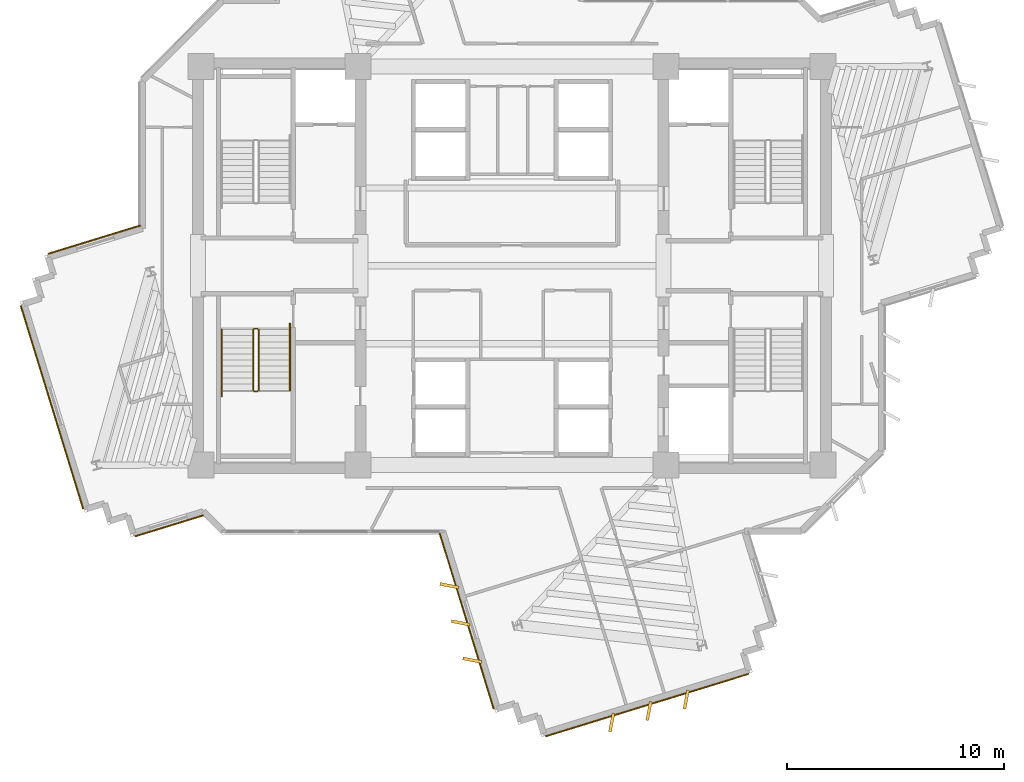
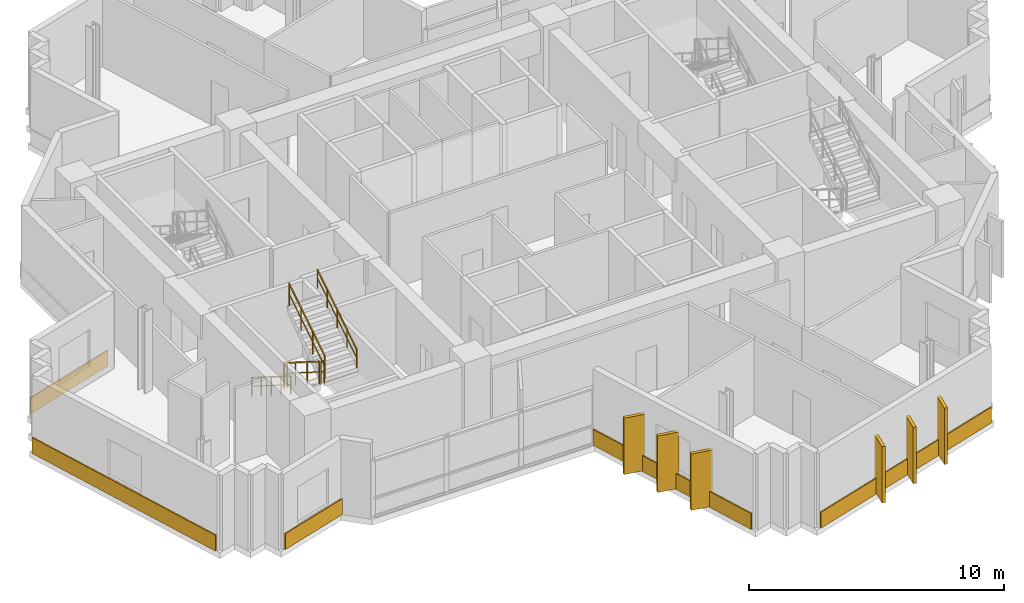
# One storey, part 10 of 13: 11 coverings, 6 railings.
"""IFC4 building model written with IfcOpenShell, lengths in metres."""

import ifcopenshell
import ifcopenshell.guid

model = None  # the IFC model being written
_history = None  # IfcOwnerHistory: only IFC2X3 demands one
_inside = {}  # id of a spatial element -> (the spatial element, [elements in it])
_under = {}  # id of a project, library or spatial element -> (it, [spatial elements below it])
_declared = {}  # id of a project -> (the project, [libraries it declares])
_typed = {}  # id of a type object -> (the type object, [elements of that type])
_made_of = {}  # id of a material, layer set ... -> (it, [elements and type objects made of it])


def new_model(schema):
    """Start an empty IFC model of exactly this schema.

    Asked for "IFC4X3", IfcOpenShell would pick the latest addendum, in which some entities
    have other attributes; the version numbers below select the first issue.
    IFC2X3 requires an IfcOwnerHistory on every rooted entity: one is made here for all.
    """
    global model, _history
    if schema == "IFC4X3":
        model = ifcopenshell.file(schema_version=(4, 3, 0, 0))
    else:
        model = ifcopenshell.file(schema=schema)
    _inside.clear()
    _under.clear()
    _declared.clear()
    _typed.clear()
    _made_of.clear()
    _history = None
    if model.schema == "IFC2X3":
        org = make("IfcOrganization", Name="unknown")
        user = make(
            "IfcPersonAndOrganization",
            ThePerson=make("IfcPerson", FamilyName="unknown"),
            TheOrganization=org,
        )
        app = make(
            "IfcApplication",
            ApplicationDeveloper=org,
            Version="unknown",
            ApplicationFullName="unknown",
            ApplicationIdentifier="unknown",
        )
        _history = make(
            "IfcOwnerHistory",
            OwningUser=user,
            OwningApplication=app,
            ChangeAction="ADDED",
            CreationDate=0,
        )
    return model


def make(cls, **values):
    """One entity of the class cls with the attributes given. An attribute that is None is left unset."""
    return model.create_entity(
        cls, **{name: value for name, value in values.items() if value is not None}
    )


def rooted(cls, **values):
    """An entity with a GlobalId (a new one), such as an element, a storey or a relation."""
    return make(cls, GlobalId=ifcopenshell.guid.new(), OwnerHistory=_history, **values)


def si_unit(unit_type, name, prefix=None):
    """IfcSIUnit, for example si_unit("LENGTHUNIT", "METRE", prefix="MILLI")."""
    return make("IfcSIUnit", UnitType=unit_type, Prefix=prefix, Name=name)


def assignment(units):
    """IfcUnitAssignment: the units of a project."""
    return None if units is None else make("IfcUnitAssignment", Units=units)


def point(xyz):
    """IfcCartesianPoint."""
    return None if xyz is None else make("IfcCartesianPoint", Coordinates=xyz)


def direction(xyz):
    """IfcDirection."""
    return None if xyz is None else make("IfcDirection", DirectionRatios=xyz)


def frame(location, z_axis=None, x_axis=None):
    """IfcAxis2Placement3D, a coordinate frame: its origin and axes. An axis left out is left unset."""
    return make(
        "IfcAxis2Placement3D",
        Location=point(location),
        Axis=direction(z_axis),
        RefDirection=direction(x_axis),
    )


def frame_2d(location, x_axis=None):
    """IfcAxis2Placement2D, a coordinate frame in the plane: its origin and x axis."""
    return make(
        "IfcAxis2Placement2D", Location=point(location), RefDirection=direction(x_axis)
    )


def origin():
    """The frame at (0, 0, 0) with its axes left unset."""
    return frame((0.0, 0.0, 0.0))


def origin_2d():
    """The frame at (0, 0) in the plane with its x axis left unset."""
    return frame_2d((0.0, 0.0))


def place(relative_to, where):
    """IfcLocalPlacement: puts the frame where relative to a parent placement (None: the world)."""
    return make(
        "IfcLocalPlacement", PlacementRelTo=relative_to, RelativePlacement=where
    )


def context(
    kind, dimensions, precision=None, world=None, true_north=None, identifier=None
):
    """IfcGeometricRepresentationContext, for example the 3D "Model" context."""
    return make(
        "IfcGeometricRepresentationContext",
        ContextIdentifier=identifier,
        ContextType=kind,
        CoordinateSpaceDimension=dimensions,
        Precision=precision,
        WorldCoordinateSystem=world,
        TrueNorth=true_north,
    )


def subcontext(parent, identifier, kind, view, scale=None):
    """IfcGeometricRepresentationSubContext, for example "Body" below "Model"."""
    return make(
        "IfcGeometricRepresentationSubContext",
        ContextIdentifier=identifier,
        ContextType=kind,
        ParentContext=parent,
        TargetScale=scale,
        TargetView=view,
    )


def project(units=None, contexts=None):
    """IfcProject with its units and contexts."""
    return rooted(
        "IfcProject",
        Name="project",
        RepresentationContexts=contexts,
        UnitsInContext=assignment(units),
    )


def spatial(cls, under=None, at=None, **own):
    """A site, building, storey or space (cls), placed at a placement, below another one or the project."""
    s = rooted(cls, ObjectPlacement=at, **own)
    if under is not None:
        _under.setdefault(under.id(), (under, []))[1].append(s)
    return s


def profile(cls, at=None, kind="AREA", **sizes):
    """A parametric profile (cls). Its sizes go by their IFC names, for example OverallWidth=200.0."""
    return make(cls, ProfileType=kind, Position=at, **sizes)


def rectangle(**sizes):
    """IfcRectangleProfileDef."""
    return profile("IfcRectangleProfileDef", **sizes)


def extrude(swept, where, along, depth):
    """IfcExtrudedAreaSolid: the profile swept, set in the frame where, extruded along a direction by depth."""
    return make(
        "IfcExtrudedAreaSolid",
        SweptArea=swept,
        Position=where,
        ExtrudedDirection=direction(along),
        Depth=depth,
    )


def shape(context_of_items, identifier, shape_type, items):
    """IfcShapeRepresentation: the items that make up one representation, for example the "Body"."""
    return make(
        "IfcShapeRepresentation",
        ContextOfItems=context_of_items,
        RepresentationIdentifier=identifier,
        RepresentationType=shape_type,
        Items=items,
    )


def source(mapping_origin, context_of_items, identifier, shape_type, items):
    """IfcRepresentationMap: a shape defined once, which mapped items show again and again."""
    return make(
        "IfcRepresentationMap",
        MappingOrigin=mapping_origin,
        MappedRepresentation=shape(context_of_items, identifier, shape_type, items),
    )


def transform(
    local_origin,
    x_axis=None,
    y_axis=None,
    z_axis=None,
    scale=None,
    scale2=None,
    scale3=None,
    uniform=True,
):
    """IfcCartesianTransformationOperator3D, or its non-uniform kind. x_axis, y_axis, z_axis: its Axis1, 2, 3."""
    if uniform:
        return make(
            "IfcCartesianTransformationOperator3D",
            Axis1=direction(x_axis),
            Axis2=direction(y_axis),
            LocalOrigin=point(local_origin),
            Scale=scale,
            Axis3=direction(z_axis),
        )
    return make(
        "IfcCartesianTransformationOperator3DnonUniform",
        Axis1=direction(x_axis),
        Axis2=direction(y_axis),
        LocalOrigin=point(local_origin),
        Scale=scale,
        Axis3=direction(z_axis),
        Scale2=scale2,
        Scale3=scale3,
    )


def mapped(mapping_source, mapping_target):
    """IfcMappedItem: shows the shape of a source again, moved by a transform."""
    return make(
        "IfcMappedItem", MappingSource=mapping_source, MappingTarget=mapping_target
    )


def material(Name=None, Category=None):
    """IfcMaterial."""
    return make("IfcMaterial", Name=Name, Category=Category)


def layer(
    of_material, thickness, ventilated=None, Name=None, Category=None, Priority=None
):
    """IfcMaterialLayer: one layer of a wall or slab, of a material (None: an air gap)."""
    return make(
        "IfcMaterialLayer",
        Material=of_material,
        LayerThickness=thickness,
        IsVentilated=ventilated,
        Name=Name,
        Category=Category,
        Priority=Priority,
    )


def layer_set(layers, Name=None):
    """IfcMaterialLayerSet."""
    return make("IfcMaterialLayerSet", MaterialLayers=layers, LayerSetName=Name)


def made_of(thing, what):
    """Note that an element or type object is made of a material, layer set ...; save() writes the relation."""
    if what is not None:
        _made_of.setdefault(what.id(), (what, []))[1].append(thing)
    return thing


def type_object(cls, material=None, **own):
    """A type object (cls), such as IfcWallType, which elements share."""
    return made_of(rooted(cls, **own), material)


def element(
    cls,
    number,
    at=None,
    inside=None,
    cuts=None,
    type_object=None,
    material=None,
    context=None,
    identifier="Body",
    shape_type=None,
    held_by="IfcProductDefinitionShape",
    body=None,
    shapes=None,
    **own,
):
    """One element of the class cls, such as IfcWall. Its Tag is "e" and its number.

    at: its placement. inside: the storey or other place that contains it. cuts: it is an
    opening in that element (IfcRelVoidsElement). A single representation is given by context,
    identifier, shape_type and body (its items); several are given by shapes. held_by: the class
    of the entity that holds the representations. save() writes the other relations.
    """
    e = rooted(cls, Tag="e%d" % number, ObjectPlacement=at, **own)
    if body is not None:
        shapes = [shape(context, identifier, shape_type, body)]
    if shapes is not None:
        e.Representation = make(held_by, Representations=shapes)
    if inside is not None:
        _inside.setdefault(inside.id(), (inside, []))[1].append(e)
    if cuts is not None:
        rooted(
            "IfcRelVoidsElement", RelatingBuildingElement=cuts, RelatedOpeningElement=e
        )
    if type_object is not None:
        _typed.setdefault(type_object.id(), (type_object, []))[1].append(e)
    return made_of(e, material)


def aggregate(whole, parts):
    """IfcRelAggregates: a whole, such as a stair, and the parts it consists of."""
    return rooted("IfcRelAggregates", RelatingObject=whole, RelatedObjects=parts)


def save(model, path):
    """Write the relations noted so far, then the file.

    IfcRelAggregates (storeys below a building ...), IfcRelContainedInSpatialStructure (elements
    in a storey), IfcRelDefinesByType, IfcRelAssociatesMaterial and IfcRelDeclares: one each for
    every whole, place, type object, material and project.
    """
    for whole, parts in _under.values():
        aggregate(whole, parts)
    for where, things in _inside.values():
        rooted(
            "IfcRelContainedInSpatialStructure",
            RelatedElements=things,
            RelatingStructure=where,
        )
    for kind, things in _typed.values():
        rooted("IfcRelDefinesByType", RelatedObjects=things, RelatingType=kind)
    for what, things in _made_of.values():
        rooted("IfcRelAssociatesMaterial", RelatedObjects=things, RelatingMaterial=what)
    for by, libraries in _declared.values():
        rooted("IfcRelDeclares", RelatingContext=by, RelatedDefinitions=libraries)
    model.write(path)


model = new_model("IFC4")

# Units and contexts
model_context = context("Model", 3, precision=1e-05, world=origin(), true_north=direction((0.0, 1.0)))
body_context = subcontext(model_context, "Body", "Model", "MODEL_VIEW")
ifc_project = project(units=[si_unit("LENGTHUNIT", "METRE"), si_unit("AREAUNIT", "SQUARE_METRE"), si_unit("VOLUMEUNIT", "CUBIC_METRE"), si_unit("PLANEANGLEUNIT", "RADIAN"), si_unit("MASSUNIT", "GRAM", prefix="KILO")], contexts=[model_context])

# Site, building, storey
site_placement = place(None, origin())
site = spatial("IfcSite", under=ifc_project, at=site_placement, CompositionType="ELEMENT")
building_placement = place(site_placement, origin())
building = spatial("IfcBuilding", under=site, at=building_placement, Name="Zahravan Cultural Tower", CompositionType="ELEMENT")
storey_placement = place(building_placement, frame((0.0, 0.0, 213.60009765625)))
storey = spatial("IfcBuildingStorey", under=building, at=storey_placement, Name="L50", CompositionType="ELEMENT", Elevation=213.60009765625)

# Railings
ifc_material_1 = material(Name="Steel ASTM A572 Grade 50", Category="steel")
railing_type_1 = type_object("IfcRailingType", Name="RL-STAIR-GRD1150", PredefinedType="BALUSTRADE", material=ifc_material_1)
railing_1_placement = place(storey_placement, frame((24.050048828125, 24.050048828125, 0.17724609375)))
element("IfcRailing", 1, at=railing_1_placement, inside=storey, type_object=railing_type_1, Name="L50 ST-W2 stair guard 1", PredefinedType="BALUSTRADE", context=body_context, shape_type="SweptSolid", body=[
    extrude(rectangle(XDim=0.05, YDim=0.05, at=origin_2d()), frame((0.0, 0.0, 1.0751953125), z_axis=(0.0, -0.844908973607, 0.534910110503), x_axis=(1.0, 0.0, 0.0)), (0.0, 0.0, 1.0), 3.31396484375),
    extrude(rectangle(XDim=0.032, YDim=0.032, at=origin_2d()), frame((0.0, 0.0, 0.572021484375), z_axis=(0.0, -0.844908973607, 0.534910110503), x_axis=(1.0, 0.0, 0.0)), (0.0, 0.0, 1.0), 3.31396484375),
    extrude(rectangle(XDim=0.04, YDim=0.04, at=origin_2d()), origin(), (0.0, 0.0, 1.0), 1.10009765625),
    extrude(rectangle(XDim=0.04, YDim=0.04, at=origin_2d()), frame((0.0, -0.933349609375, 0.5908203125)), (0.0, 0.0, 1.0), 1.10009765625),
    extrude(rectangle(XDim=0.04, YDim=0.04, at=origin_2d()), frame((0.0, -1.86669921875, 1.181884765625)), (0.0, 0.0, 1.0), 1.10009765625),
    extrude(rectangle(XDim=0.04, YDim=0.04, at=origin_2d()), frame((0.0, -2.800048828125, 1.772705078125)), (0.0, 0.0, 1.0), 1.10009765625),
])
railing_2_placement = place(storey_placement, frame((24.10009765625, 21.199951171875, 1.949951171875)))
element("IfcRailing", 2, at=railing_2_placement, inside=storey, type_object=railing_type_1, Name="L50 ST-W2 stair guard 2", PredefinedType="BALUSTRADE", context=body_context, shape_type="SweptSolid", body=[
    extrude(rectangle(XDim=0.05, YDim=0.05, at=origin_2d()), frame((0.0, 0.0, 1.0751953125), z_axis=(1.0, 0.0, 0.0), x_axis=(0.0, 1.0, 0.0)), (0.0, 0.0, 1.0), 0.14990234375),
    extrude(rectangle(XDim=0.032, YDim=0.032, at=origin_2d()), frame((0.0, 0.0, 0.572021484375), z_axis=(1.0, 0.0, 0.0), x_axis=(0.0, 1.0, 0.0)), (0.0, 0.0, 1.0), 0.14990234375),
    extrude(rectangle(XDim=0.04, YDim=0.04, at=origin_2d()), origin(), (0.0, 0.0, 1.0), 1.10009765625),
    extrude(rectangle(XDim=0.04, YDim=0.04, at=origin_2d()), frame((0.14990234375, 0.0, 0.0)), (0.0, 0.0, 1.0), 1.10009765625),
])
railing_3_placement = place(storey_placement, frame((24.300048828125, 21.25, 2.127197265625)))
element("IfcRailing", 3, at=railing_3_placement, inside=storey, type_object=railing_type_1, Name="L50 ST-W2 stair guard 3", PredefinedType="BALUSTRADE", context=body_context, shape_type="SweptSolid", body=[
    extrude(rectangle(XDim=0.05, YDim=0.05, at=origin_2d()), frame((0.0, 0.0, 1.0751953125), z_axis=(0.0, 0.844908973607, 0.534910110503), x_axis=(-1.0, 0.0, 0.0)), (0.0, 0.0, 1.0), 3.31396484375),
    extrude(rectangle(XDim=0.032, YDim=0.032, at=origin_2d()), frame((0.0, 0.0, 0.572021484375), z_axis=(0.0, 0.844908973607, 0.534910110503), x_axis=(-1.0, 0.0, 0.0)), (0.0, 0.0, 1.0), 3.31396484375),
    extrude(rectangle(XDim=0.04, YDim=0.04, at=origin_2d()), origin(), (0.0, 0.0, 1.0), 1.10009765625),
    extrude(rectangle(XDim=0.04, YDim=0.04, at=origin_2d()), frame((0.0, 0.933349609375, 0.5908203125)), (0.0, 0.0, 1.0), 1.10009765625),
    extrude(rectangle(XDim=0.04, YDim=0.04, at=origin_2d()), frame((0.0, 1.86669921875, 1.181884765625)), (0.0, 0.0, 1.0), 1.10009765625),
    extrude(rectangle(XDim=0.04, YDim=0.04, at=origin_2d()), frame((0.0, 2.800048828125, 1.772705078125)), (0.0, 0.0, 1.0), 1.10009765625),
])
railing_4_placement = place(storey_placement, frame((24.10009765625, 24.10009765625, 0.0)))
element("IfcRailing", 4, at=railing_4_placement, inside=storey, type_object=railing_type_1, Name="L50 ST-W2 stair guard 4", PredefinedType="BALUSTRADE", context=body_context, shape_type="SweptSolid", body=[
    extrude(rectangle(XDim=0.05, YDim=0.05, at=origin_2d()), frame((0.0, 0.0, 1.0751953125), z_axis=(1.0, 0.0, 0.0), x_axis=(0.0, 1.0, 0.0)), (0.0, 0.0, 1.0), 0.14990234375),
    extrude(rectangle(XDim=0.032, YDim=0.032, at=origin_2d()), frame((0.0, 0.0, 0.572021484375), z_axis=(1.0, 0.0, 0.0), x_axis=(0.0, 1.0, 0.0)), (0.0, 0.0, 1.0), 0.14990234375),
    extrude(rectangle(XDim=0.04, YDim=0.04, at=origin_2d()), origin(), (0.0, 0.0, 1.0), 1.10009765625),
    extrude(rectangle(XDim=0.04, YDim=0.04, at=origin_2d()), frame((0.14990234375, 0.0, 0.0)), (0.0, 0.0, 1.0), 1.10009765625),
])
railing_type_2 = type_object("IfcRailingType", Name="RL-STAIR-HR900", PredefinedType="HANDRAIL", material=ifc_material_1)
railing_5_placement = place(storey_placement, frame((22.60009765625, 24.050048828125, 0.17724609375)))
element("IfcRailing", 5, at=railing_5_placement, inside=storey, type_object=railing_type_2, Name="L50 ST-W2 stair handrail 1", PredefinedType="HANDRAIL", context=body_context, shape_type="SweptSolid", body=[
    extrude(rectangle(XDim=0.05, YDim=0.05, at=origin_2d()), frame((0.0, 0.0, 0.875), z_axis=(0.0, -0.844913916606, 0.534902302785), x_axis=(1.0, 0.0, 0.0)), (0.0, 0.0, 1.0), 3.6455078125),
    extrude(rectangle(XDim=0.032, YDim=0.032, at=origin_2d()), frame((0.0, 0.0, 0.468017578125), z_axis=(0.0, -0.844913916606, 0.534902302785), x_axis=(1.0, 0.0, 0.0)), (0.0, 0.0, 1.0), 3.6455078125),
    extrude(rectangle(XDim=0.04, YDim=0.04, at=origin_2d()), origin(), (0.0, 0.0, 1.0), 0.89990234375),
    extrude(rectangle(XDim=0.04, YDim=0.04, at=origin_2d()), frame((0.0, -0.77001953125, 0.487548828125)), (0.0, 0.0, 1.0), 0.89990234375),
    extrude(rectangle(XDim=0.04, YDim=0.04, at=origin_2d()), frame((0.0, -1.5400390625, 0.97509765625)), (0.0, 0.0, 1.0), 0.89990234375),
    extrude(rectangle(XDim=0.04, YDim=0.04, at=origin_2d()), frame((0.0, -2.31005859375, 1.46240234375)), (0.0, 0.0, 1.0), 0.89990234375),
    extrude(rectangle(XDim=0.04, YDim=0.04, at=origin_2d()), frame((0.0, -3.080078125, 1.949951171875)), (0.0, 0.0, 1.0), 0.89990234375),
])
railing_6_placement = place(storey_placement, frame((25.75, 21.25, 2.127197265625)))
element("IfcRailing", 6, at=railing_6_placement, inside=storey, type_object=railing_type_2, Name="L50 ST-W2 stair handrail 2", PredefinedType="HANDRAIL", context=body_context, shape_type="SweptSolid", body=[
    extrude(rectangle(XDim=0.05, YDim=0.05, at=origin_2d()), frame((0.0, 0.0, 0.875), z_axis=(0.0, 0.844913916606, 0.534902302785), x_axis=(-1.0, 0.0, 0.0)), (0.0, 0.0, 1.0), 3.6455078125),
    extrude(rectangle(XDim=0.032, YDim=0.032, at=origin_2d()), frame((0.0, 0.0, 0.468017578125), z_axis=(0.0, 0.844913916606, 0.534902302785), x_axis=(-1.0, 0.0, 0.0)), (0.0, 0.0, 1.0), 3.6455078125),
    extrude(rectangle(XDim=0.04, YDim=0.04, at=origin_2d()), origin(), (0.0, 0.0, 1.0), 0.89990234375),
    extrude(rectangle(XDim=0.04, YDim=0.04, at=origin_2d()), frame((0.0, 0.77001953125, 0.487548828125)), (0.0, 0.0, 1.0), 0.89990234375),
    extrude(rectangle(XDim=0.04, YDim=0.04, at=origin_2d()), frame((0.0, 1.5400390625, 0.97509765625)), (0.0, 0.0, 1.0), 0.89990234375),
    extrude(rectangle(XDim=0.04, YDim=0.04, at=origin_2d()), frame((0.0, 2.31005859375, 1.46240234375)), (0.0, 0.0, 1.0), 0.89990234375),
    extrude(rectangle(XDim=0.04, YDim=0.04, at=origin_2d()), frame((0.0, 3.080078125, 1.949951171875)), (0.0, 0.0, 1.0), 0.89990234375),
])

# Coverings
ifc_material_2 = material(Name="Terracotta ceramic cladding", Category="masonry")
ifc_layer = layer(ifc_material_2, 0.06005859375)
ifc_layer_set = layer_set([ifc_layer], Name="Terracotta ceramic cladding")
covering_type = type_object("IfcCoveringType", Name="COV-CLAD-TC60", PredefinedType="CLADDING", material=ifc_layer_set)
shared_shape_1 = source(origin(), body_context, "Body", "SweptSolid", [
    extrude(rectangle(XDim=9.820068359375, YDim=0.06005859375, at=origin_2d()), origin(), (0.0, 0.0, 1.0), 0.760009765625),
])
covering_1_placement = place(storey_placement, frame((42.240966796875, 6.71337890625, 0.02001953125), z_axis=(0.0, 0.0, 1.0), x_axis=(-0.955793014798, -0.294040325232, 0.0)))
element("IfcCovering", 7, at=covering_1_placement, inside=storey, type_object=covering_type, Name="L50 Terracotta Spandrel Cladding 20", PredefinedType="CLADDING", context=body_context, shape_type="MappedRepresentation", body=[
    mapped(shared_shape_1, transform((0.0, 0.0, 0.0), x_axis=(1.0, 0.0, 0.0), y_axis=(0.0, 1.0, 0.0), z_axis=(0.0, 0.0, 1.0), scale=1.0)),
])
shared_shape_2 = source(origin(), body_context, "Body", "SweptSolid", [
    extrude(rectangle(XDim=0.8798828125, YDim=0.139892578125, at=origin_2d()), origin(), (0.0, 0.0, 1.0), 2.699951171875),
])
for number, where, z_axis, x_axis, name in (
    (8, (44.045166015625, 6.97021484375, 0.0498046875), (0.0, 0.0, 1.0), (-0.18909544299, -0.981958712696, 0.0), "L50 Herringbone Terracotta Fin 11"),
    (9, (42.32470703125, 6.44091796875, 0.0498046875), (0.0, 0.0, 1.0), (-0.18909544299, -0.981958712696, 0.0), "L50 Herringbone Terracotta Fin 12"),
    (10, (40.604248046875, 5.91162109375, 0.0498046875), (0.0, 0.0, 1.0), (-0.18909544299, -0.981958712696, 0.0), "L50 Herringbone Terracotta Fin 13"),
    (11, (34.16455078125, 8.7861328125, 0.0498046875), (0.0, 0.0, 1.0), (-0.981958712696, 0.18909544299, 0.0), "L50 Herringbone Terracotta Fin 14"),
    (12, (33.63525390625, 10.506591796875, 0.0498046875), (0.0, 0.0, 1.0), (-0.981958712696, 0.18909544299, 0.0), "L50 Herringbone Terracotta Fin 15"),
    (13, (33.10595703125, 12.226806640625, 0.0498046875), (0.0, 0.0, 1.0), (-0.981958712696, 0.18909544299, 0.0), "L50 Herringbone Terracotta Fin 16"),
):
    element("IfcCovering", number, at=place(storey_placement, frame(where, z_axis=z_axis, x_axis=x_axis)), inside=storey, type_object=covering_type, Name=name, PredefinedType="CLADDING", context=body_context, shape_type="MappedRepresentation", body=[
        mapped(shared_shape_2, transform((0.0, 0.0, 0.0), x_axis=(1.0, 0.0, 0.0), y_axis=(0.0, 1.0, 0.0), z_axis=(0.0, 0.0, 1.0), scale=1.0)),
    ])
shared_shape_3 = source(origin(), body_context, "Body", "SweptSolid", [
    extrude(rectangle(XDim=9.81982421875, YDim=0.06005859375, at=origin_2d()), origin(), (0.0, 0.0, 1.0), 0.760009765625),
])
covering_2_placement = place(storey_placement, frame((14.757568359375, 20.465087890625, 0.02001953125), z_axis=(0.0, 0.0, 1.0), x_axis=(-0.294040325232, 0.955793014798, 0.0)))
element("IfcCovering", 14, at=covering_2_placement, inside=storey, type_object=covering_type, Name="L50 Terracotta Spandrel Cladding 32", PredefinedType="CLADDING", context=body_context, shape_type="MappedRepresentation", body=[
    mapped(shared_shape_3, transform((0.0, 0.0, 0.0), x_axis=(1.0, 0.0, 0.0), y_axis=(0.0, 1.0, 0.0), z_axis=(0.0, 0.0, 1.0), scale=1.0)),
])
shared_shape_4 = source(origin(), body_context, "Body", "SweptSolid", [
    extrude(rectangle(XDim=3.302001953125, YDim=0.06005859375, at=origin_2d()), origin(), (0.0, 0.0, 1.0), 0.760009765625),
])
covering_3_placement = place(storey_placement, frame((20.172607421875, 14.990234375, 0.02001953125), z_axis=(0.0, 0.0, 1.0), x_axis=(-0.955793014798, -0.294040325232, 0.0)))
element("IfcCovering", 15, at=covering_3_placement, inside=storey, type_object=covering_type, Name="L50 Terracotta Spandrel Cladding 27", PredefinedType="CLADDING", context=body_context, shape_type="MappedRepresentation", body=[
    mapped(shared_shape_4, transform((0.0, 0.0, 0.0), x_axis=(1.0, 0.0, 0.0), y_axis=(0.0, 1.0, 0.0), z_axis=(0.0, 0.0, 1.0), scale=1.0)),
])
shared_shape_5 = source(origin(), body_context, "Body", "SweptSolid", [
    extrude(rectangle(XDim=4.459716796875, YDim=0.06005859375, at=origin_2d()), origin(), (0.0, 0.0, 1.0), 0.760009765625),
])
covering_4_placement = place(storey_placement, frame((16.71240234375, 28.20703125, 0.02001953125), z_axis=(0.0, 0.0, 1.0), x_axis=(0.955798146625, 0.294023643452, 0.0)))
element("IfcCovering", 16, at=covering_4_placement, inside=storey, type_object=covering_type, Name="L50 Terracotta Spandrel Cladding 37", PredefinedType="CLADDING", context=body_context, shape_type="MappedRepresentation", body=[
    mapped(shared_shape_5, transform((0.0, 0.0, 0.0), x_axis=(1.0, 0.0, 0.0), y_axis=(0.0, 1.0, 0.0), z_axis=(0.0, 0.0, 1.0), scale=1.0)),
])
shared_shape_6 = source(origin(), body_context, "Body", "SweptSolid", [
    extrude(rectangle(XDim=8.481689453125, YDim=0.06005859375, at=origin_2d()), origin(), (0.0, 0.0, 1.0), 0.760009765625),
])
covering_5_placement = place(storey_placement, frame((33.90771484375, 10.59033203125, 0.02001953125), z_axis=(0.0, 0.0, 1.0), x_axis=(-0.294040325232, 0.955793014798, 0.0)))
element("IfcCovering", 17, at=covering_5_placement, inside=storey, type_object=covering_type, Name="L50 Terracotta Spandrel Cladding 25", PredefinedType="CLADDING", context=body_context, shape_type="MappedRepresentation", body=[
    mapped(shared_shape_6, transform((0.0, 0.0, 0.0), x_axis=(1.0, 0.0, 0.0), y_axis=(0.0, 1.0, 0.0), z_axis=(0.0, 0.0, 1.0), scale=1.0)),
])

save(model, "model.ifc")
